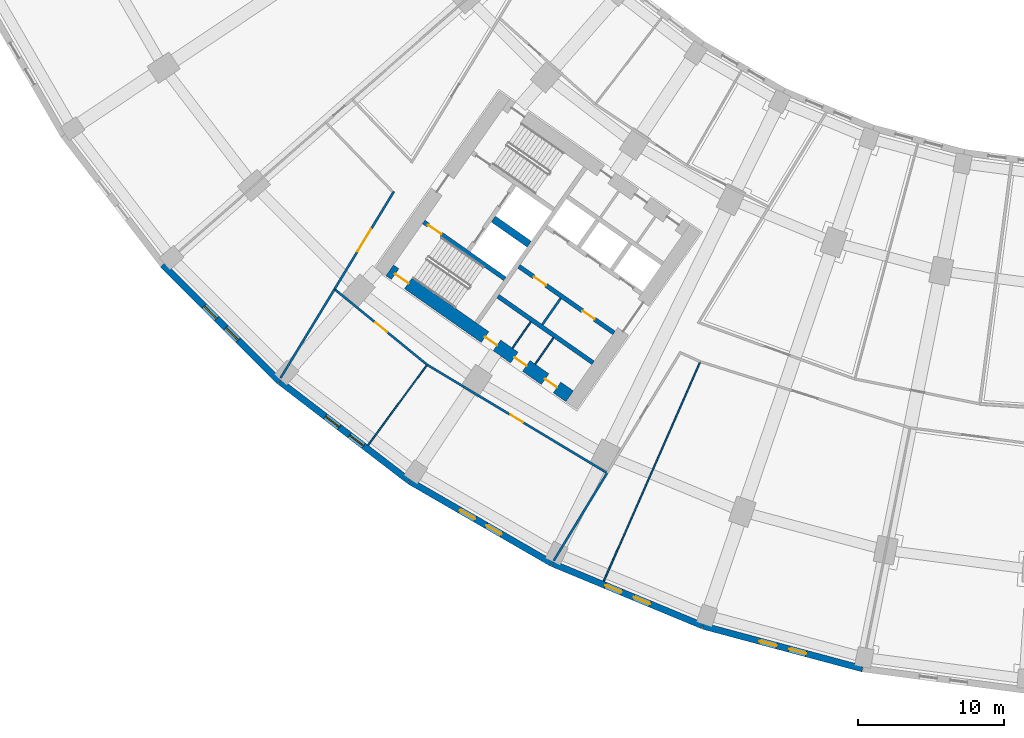
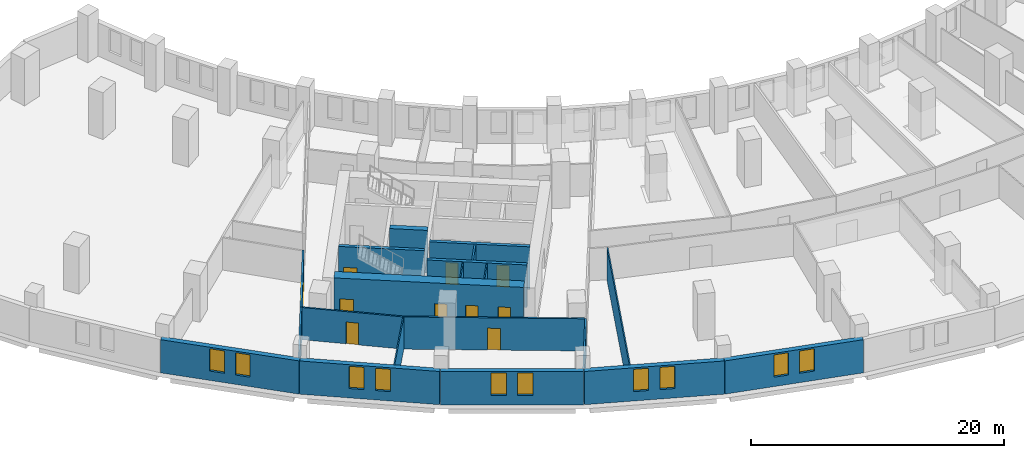
# One storey, part 5 of 20: 20 walls, 10 doors, 10 windows, 20 openings.
"""IFC4 building model written with IfcOpenShell, lengths in metres."""

from ifc_helpers import new_model, si_unit, direction, frame, frame_2d, origin, place, context, subcontext, project, spatial, rectangle, extrude, material, layer, layer_set, type_object, element, fill, save


model = new_model("IFC4")

# Units and contexts
model_context = context("Model", 3, precision=1e-05, world=origin(), true_north=direction((0.0, 1.0)))
body_context = subcontext(model_context, "Body", "Model", "MODEL_VIEW")
ifc_project = project(units=[si_unit("LENGTHUNIT", "METRE"), si_unit("AREAUNIT", "SQUARE_METRE"), si_unit("VOLUMEUNIT", "CUBIC_METRE"), si_unit("PLANEANGLEUNIT", "RADIAN"), si_unit("MASSUNIT", "GRAM", prefix="KILO")], contexts=[model_context])

# Site, building, storey
site_placement = place(None, origin())
site = spatial("IfcSite", under=ifc_project, at=site_placement, CompositionType="ELEMENT")
building_placement = place(site_placement, origin())
building = spatial("IfcBuilding", under=site, at=building_placement, Name="Qamariyya Broadcast Tower", CompositionType="ELEMENT")
storey_placement = place(building_placement, frame((0.0, 0.0, 27.0)))
storey = spatial("IfcBuildingStorey", under=building, at=storey_placement, Name="L03", CompositionType="ELEMENT", Elevation=27.0)

# Wall, openings, doors
ifc_material_1 = material(Name="Concrete C70/85", Category="concrete")
ifc_layer_1 = layer(ifc_material_1, 0.89990234375)
ifc_layer_set_1 = layer_set([ifc_layer_1], Name="Core wall 900 mm Concrete C70/85")
wall_type_1 = type_object("IfcWallType", Name="Core wall 900 mm Concrete C70/85", PredefinedType="SHEAR", material=ifc_layer_set_1)
wall_1_placement = place(storey_placement, frame((-36.827392578125, -65.710205078125, 0.0), z_axis=(0.0, 0.0, 1.0), x_axis=(-0.819153391756, 0.573574511963, 0.0)))
wall_1 = element("IfcWall", 1, at=wall_1_placement, inside=storey, type_object=wall_type_1, Name="k-W-L03-WO", PredefinedType="SHEAR", context=body_context, shape_type="SweptSolid", body=[
    extrude(rectangle(XDim=15.04541015625, YDim=0.89990234375, at=frame_2d((7.522705078125, 0.0))), origin(), (0.0, 0.0, 1.0), 4.10009765625),
])
opening_1_placement = place(wall_1_placement, frame((1.050048828125, 0.0, 0.0)))
opening_1 = element("IfcOpeningElement", 2, at=opening_1_placement, cuts=wall_1, Name="Opening KD4-W2", PredefinedType="OPENING", context=body_context, shape_type="SweptSolid", body=[
    extrude(rectangle(XDim=1.0, YDim=2.10009765625, at=frame_2d((0.5, 1.050048828125))), frame((0.0, 0.4599609375, 0.0), z_axis=(0.0, -1.0, 0.0), x_axis=(1.0, 0.0, 0.0)), (0.0, 0.0, 1.0), 0.919921875),
])
opening_2_placement = place(wall_1_placement, frame((3.625, 0.0, 0.0)))
opening_2 = element("IfcOpeningElement", 3, at=opening_2_placement, cuts=wall_1, Name="Opening KD4-W3", PredefinedType="OPENING", context=body_context, shape_type="SweptSolid", body=[
    extrude(rectangle(XDim=1.0, YDim=2.10009765625, at=frame_2d((0.5, 1.050048828125))), frame((0.0, 0.4599609375, 0.0), z_axis=(0.0, -1.0, 0.0), x_axis=(1.0, 0.0, 0.0)), (0.0, 0.0, 1.0), 0.919921875),
])
opening_3_placement = place(wall_1_placement, frame((6.074951171875, 0.0, 0.0)))
opening_3 = element("IfcOpeningElement", 4, at=opening_3_placement, cuts=wall_1, Name="Opening KD6-W3", PredefinedType="OPENING", context=body_context, shape_type="SweptSolid", body=[
    extrude(rectangle(XDim=1.0, YDim=2.10009765625, at=frame_2d((0.5, 1.050048828125))), frame((0.0, 0.4599609375, 0.0), z_axis=(0.0, -1.0, 0.0), x_axis=(1.0, 0.0, 0.0)), (0.0, 0.0, 1.0), 0.919921875),
])
opening_4_placement = place(wall_1_placement, frame((13.495361328125, 0.0, 0.0)))
opening_4 = element("IfcOpeningElement", 5, at=opening_4_placement, cuts=wall_1, Name="Opening KD1-W3", PredefinedType="OPENING", context=body_context, shape_type="SweptSolid", body=[
    extrude(rectangle(XDim=1.10009765625, YDim=2.10009765625, at=frame_2d((0.550048828125, 1.050048828125))), frame((0.0, 0.4599609375, 0.0), z_axis=(0.0, -1.0, 0.0), x_axis=(1.0, 0.0, 0.0)), (0.0, 0.0, 1.0), 0.919921875),
])
ifc_material_2 = material(Name="Steel fire-resisting door leaf", Category="steel")
door_type_1 = type_object("IfcDoorType", Name="Core room door KD6", OperationType="SINGLE_SWING_LEFT", PredefinedType="DOOR", material=ifc_material_2)
door_1_placement = place(opening_3_placement, origin())
door_1 = element("IfcDoor", 6, at=door_1_placement, inside=storey, type_object=door_type_1, Name="k-W-L03-WO-D12", OperationType="SINGLE_SWING_LEFT", OverallHeight=2.10009765625, OverallWidth=1.0, PredefinedType="DOOR", context=body_context, shape_type="SweptSolid", body=[
    extrude(rectangle(XDim=1.0, YDim=2.10009765625, at=frame_2d((0.5, 1.050048828125))), frame((0.0, 0.02490234375, 0.0), z_axis=(0.0, -1.0, 0.0), x_axis=(1.0, 0.0, 0.0)), (0.0, 0.0, 1.0), 0.050048828125),
])
fill(opening_3, door_1)
door_type_2 = type_object("IfcDoorType", Name="Riser and plant door KD4", OperationType="SINGLE_SWING_LEFT", PredefinedType="DOOR", material=ifc_material_2)
door_2_placement = place(opening_1_placement, origin())
door_2 = element("IfcDoor", 7, at=door_2_placement, inside=storey, type_object=door_type_2, Name="k-W-L03-WO-D10", OperationType="SINGLE_SWING_LEFT", OverallHeight=2.10009765625, OverallWidth=1.0, PredefinedType="DOOR", context=body_context, shape_type="SweptSolid", body=[
    extrude(rectangle(XDim=1.0, YDim=2.10009765625, at=frame_2d((0.5, 1.050048828125))), frame((0.0, 0.02490234375, 0.0), z_axis=(0.0, -1.0, 0.0), x_axis=(1.0, 0.0, 0.0)), (0.0, 0.0, 1.0), 0.050048828125),
])
fill(opening_1, door_2)
door_3_placement = place(opening_2_placement, origin())
door_3 = element("IfcDoor", 8, at=door_3_placement, inside=storey, type_object=door_type_2, Name="k-W-L03-WO-D11", OperationType="SINGLE_SWING_RIGHT", OverallHeight=2.10009765625, OverallWidth=1.0, PredefinedType="DOOR", context=body_context, shape_type="SweptSolid", body=[
    extrude(rectangle(XDim=1.0, YDim=2.10009765625, at=frame_2d((0.5, 1.050048828125))), frame((0.0, 0.02490234375, 0.0), z_axis=(0.0, -1.0, 0.0), x_axis=(1.0, 0.0, 0.0)), (0.0, 0.0, 1.0), 0.050048828125),
])
fill(opening_2, door_3)
door_type_3 = type_object("IfcDoorType", Name="Stair door KD1", OperationType="SINGLE_SWING_LEFT", PredefinedType="DOOR", material=ifc_material_2)
door_4_placement = place(opening_4_placement, origin())
door_4 = element("IfcDoor", 9, at=door_4_placement, inside=storey, type_object=door_type_3, Name="k-W-L03-WO-D18", OperationType="SINGLE_SWING_LEFT", OverallHeight=2.10009765625, OverallWidth=1.10009765625, PredefinedType="DOOR", context=body_context, shape_type="SweptSolid", body=[
    extrude(rectangle(XDim=1.10009765625, YDim=2.10009765625, at=frame_2d((0.550048828125, 1.050048828125))), frame((0.0, 0.02490234375, 0.0), z_axis=(0.0, -1.0, 0.0), x_axis=(1.0, 0.0, 0.0)), (0.0, 0.0, 1.0), 0.050048828125),
])
fill(opening_4, door_4)

# Wall
ifc_material_3 = material(Name="Gypsum board partition")
ifc_layer_2 = layer(ifc_material_3, 0.14990234375)
ifc_layer_set_2 = layer_set([ifc_layer_2], Name="Corridor partition 150 EI 60")
wall_type_2 = type_object("IfcWallType", Name="Corridor partition 150 EI 60", PredefinedType="PARTITIONING", material=ifc_layer_set_2)
wall_2_placement = place(storey_placement, frame((-52.935791015625, -58.37158203125, 0.0), z_axis=(0.0, 0.0, 1.0), x_axis=(-0.519148894699, -0.854683815883, 0.0)))
element("IfcWall", 10, at=wall_2_placement, inside=storey, type_object=wall_type_2, Name="Partition L03-003", PredefinedType="PARTITIONING", context=body_context, shape_type="SweptSolid", body=[
    extrude(rectangle(XDim=7.12548828125, YDim=0.14990234375, at=frame_2d((3.562744140625, 0.0))), origin(), (0.0, 0.0, 1.0), 3.10009765625),
])

# Wall, opening, door
wall_3_placement = place(storey_placement, frame((-46.593505859375, -63.549072265625, 0.0), z_axis=(0.0, 0.0, 1.0), x_axis=(-0.774664810718, 0.632372066931, 0.0)))
wall_3 = element("IfcWall", 11, at=wall_3_placement, inside=storey, type_object=wall_type_2, Name="Partition L03-004", PredefinedType="PARTITIONING", context=body_context, shape_type="SweptSolid", body=[
    extrude(rectangle(XDim=8.112060546875, YDim=0.14990234375, at=frame_2d((4.05615234375, 0.0))), origin(), (0.0, 0.0, 1.0), 3.10009765625),
])
opening_5_placement = place(wall_3_placement, frame((3.55615234375, 0.0, 0.0)))
opening_5 = element("IfcOpeningElement", 12, at=opening_5_placement, cuts=wall_3, Name="Opening L03-D18", PredefinedType="OPENING", context=body_context, shape_type="SweptSolid", body=[
    extrude(rectangle(XDim=1.0, YDim=2.10009765625, at=frame_2d((0.5, 1.050048828125))), frame((0.0, 0.0849609375, 0.0), z_axis=(0.0, -1.0, 0.0), x_axis=(1.0, 0.0, 0.0)), (0.0, 0.0, 1.0), 0.169921875),
])
ifc_material_4 = material(Name="Timber fire door leaf", Category="wood")
door_type_4 = type_object("IfcDoorType", Name="Fire door 1000 x 2100 FD60", OperationType="NOTDEFINED", PredefinedType="DOOR", material=ifc_material_4)
door_5_placement = place(opening_5_placement, origin())
door_5 = element("IfcDoor", 13, at=door_5_placement, inside=storey, type_object=door_type_4, Name="Door L03-D18", OperationType="SINGLE_SWING_RIGHT", OverallHeight=2.10009765625, OverallWidth=1.0, PredefinedType="DOOR", context=body_context, shape_type="SweptSolid", body=[
    extrude(rectangle(XDim=1.0, YDim=2.10009765625, at=frame_2d((0.5, 1.050048828125))), frame((0.0, 0.02490234375, 0.0), z_axis=(0.0, -1.0, 0.0), x_axis=(1.0, 0.0, 0.0)), (0.0, 0.0, 1.0), 0.050048828125),
])
fill(opening_5, door_5)

wall_4_placement = place(storey_placement, frame((-52.935791015625, -58.37158203125, 0.0), z_axis=(0.0, 0.0, 1.0), x_axis=(0.519169312849, 0.854671413232, 0.0)))
wall_4 = element("IfcWall", 14, at=wall_4_placement, inside=storey, type_object=wall_type_2, Name="Partition L03-008", PredefinedType="PARTITIONING", context=body_context, shape_type="SweptSolid", body=[
    extrude(rectangle(XDim=7.83056640625, YDim=0.14990234375, at=frame_2d((3.915283203125, 0.0))), origin(), (0.0, 0.0, 1.0), 3.10009765625),
])
opening_6_placement = place(wall_4_placement, frame((3.015380859375, 0.0, 0.0)))
opening_6 = element("IfcOpeningElement", 15, at=opening_6_placement, cuts=wall_4, Name="Opening L03-D21", PredefinedType="OPENING", context=body_context, shape_type="SweptSolid", body=[
    extrude(rectangle(XDim=1.800048828125, YDim=2.10009765625, at=frame_2d((0.89990234375, 1.050048828125))), frame((0.0, 0.0849609375, 0.0), z_axis=(0.0, -1.0, 0.0), x_axis=(1.0, 0.0, 0.0)), (0.0, 0.0, 1.0), 0.169921875),
])
door_type_5 = type_object("IfcDoorType", Name="Double fire door 1800 x 2100 FD60", OperationType="NOTDEFINED", PredefinedType="DOOR", material=ifc_material_4)
door_6_placement = place(opening_6_placement, origin())
door_6 = element("IfcDoor", 16, at=door_6_placement, inside=storey, type_object=door_type_5, Name="Door L03-D21", OperationType="DOUBLE_DOOR_SINGLE_SWING", OverallHeight=2.10009765625, OverallWidth=1.800048828125, PredefinedType="DOOR", context=body_context, shape_type="SweptSolid", body=[
    extrude(rectangle(XDim=1.800048828125, YDim=2.10009765625, at=frame_2d((0.89990234375, 1.050048828125))), frame((0.0, 0.02490234375, 0.0), z_axis=(0.0, -1.0, 0.0), x_axis=(1.0, 0.0, 0.0)), (0.0, 0.0, 1.0), 0.050048828125),
])
fill(opening_6, door_6)

wall_5_placement = place(storey_placement, frame((-34.32421875, -70.924072265625, 0.0), z_axis=(0.0, 0.0, 1.0), x_axis=(-0.857078823531, 0.51518529701, 0.0)))
wall_5 = element("IfcWall", 17, at=wall_5_placement, inside=storey, type_object=wall_type_2, Name="Partition L03-010", PredefinedType="PARTITIONING", context=body_context, shape_type="SweptSolid", body=[
    extrude(rectangle(XDim=14.315185546875, YDim=0.14990234375, at=frame_2d((7.15771484375, 0.0))), origin(), (0.0, 0.0, 1.0), 3.10009765625),
])
opening_7_placement = place(wall_5_placement, frame((6.657470703125, 0.0, 0.0)))
opening_7 = element("IfcOpeningElement", 18, at=opening_7_placement, cuts=wall_5, Name="Opening L03-D19", PredefinedType="OPENING", context=body_context, shape_type="SweptSolid", body=[
    extrude(rectangle(XDim=1.0, YDim=2.10009765625, at=frame_2d((0.5, 1.050048828125))), frame((0.0, 0.0849609375, 0.0), z_axis=(0.0, -1.0, 0.0), x_axis=(1.0, 0.0, 0.0)), (0.0, 0.0, 1.0), 0.169921875),
])
door_7_placement = place(opening_7_placement, origin())
door_7 = element("IfcDoor", 19, at=door_7_placement, inside=storey, type_object=door_type_4, Name="Door L03-D19", OperationType="SINGLE_SWING_RIGHT", OverallHeight=2.10009765625, OverallWidth=1.0, PredefinedType="DOOR", context=body_context, shape_type="SweptSolid", body=[
    extrude(rectangle(XDim=1.0, YDim=2.10009765625, at=frame_2d((0.5, 1.050048828125))), frame((0.0, 0.02490234375, 0.0), z_axis=(0.0, -1.0, 0.0), x_axis=(1.0, 0.0, 0.0)), (0.0, 0.0, 1.0), 0.050048828125),
])
fill(opening_7, door_7)

# Walls
wall_6_placement = place(storey_placement, frame((-34.260009765625, -70.962646484375, 0.0), z_axis=(0.0, 0.0, 1.0), x_axis=(-0.519582317334, -0.854420397412, 0.0)))
element("IfcWall", 20, at=wall_6_placement, inside=storey, type_object=wall_type_2, Name="Partition L03-016", PredefinedType="PARTITIONING", context=body_context, shape_type="SweptSolid", body=[
    extrude(rectangle(XDim=7.03173828125, YDim=0.14990234375, at=frame_2d((3.515869140625, 0.0))), origin(), (0.0, 0.0, 1.0), 3.10009765625),
])
ifc_material_5 = material(Name="Concrete C60/75", Category="concrete")
ifc_layer_3 = layer(ifc_material_5, 0.5)
ifc_layer_set_3 = layer_set([ifc_layer_3], Name="Fire-fighting lobby divider wall 500 mm Concrete C60/75")
wall_type_3 = type_object("IfcWallType", Name="Fire-fighting lobby divider wall 500 mm Concrete C60/75", PredefinedType="SOLIDWALL", material=ifc_layer_set_3)
wall_7_placement = place(storey_placement, frame((-39.59912109375, -55.28515625, 0.0), z_axis=(0.0, 0.0, 1.0), x_axis=(-0.819136323161, 0.573598887793, 0.0)))
element("IfcWall", 21, at=wall_7_placement, inside=storey, type_object=wall_type_3, Name="k-W-L03-FD", PredefinedType="SOLIDWALL", context=body_context, shape_type="SweptSolid", body=[
    extrude(rectangle(XDim=2.999755859375, YDim=0.5, at=frame_2d((1.5, 0.0))), origin(), (0.0, 0.0, 1.0), 4.10009765625),
])
ifc_material_6 = material(Name="Gypsum board partition on steel studs", Category="steel")
ifc_layer_4 = layer(ifc_material_6, 0.14990234375)
ifc_layer_set_4 = layer_set([ifc_layer_4], Name="Gypsum board partition 150 mm")
wall_type_4 = type_object("IfcWallType", Name="Gypsum board partition 150 mm", PredefinedType="PARTITIONING", material=ifc_layer_set_4)
wall_8_placement = place(storey_placement, frame((-37.436767578125, -58.99658203125, 0.0), z_axis=(0.0, 0.0, 1.0), x_axis=(-0.573559170999, -0.819164133348, 0.0)))
element("IfcWall", 22, at=wall_8_placement, inside=storey, type_object=wall_type_4, Name="k-W-L03-SC435", PredefinedType="PARTITIONING", context=body_context, shape_type="SweptSolid", body=[
    extrude(rectangle(XDim=2.19970703125, YDim=0.14990234375, at=frame_2d((1.099853515625, 0.0))), origin(), (0.0, 0.0, 1.0), 4.10009765625),
])

# Wall, openings, doors
ifc_layer_5 = layer(ifc_material_5, 0.300048828125)
ifc_layer_set_5 = layer_set([ifc_layer_5], Name="Lift shaft wall 300 mm Concrete C60/75")
wall_type_5 = type_object("IfcWallType", Name="Lift shaft wall 300 mm Concrete C60/75", PredefinedType="SOLIDWALL", material=ifc_layer_set_5)
wall_9_placement = place(storey_placement, frame((-33.787353515625, -61.368896484375, 0.0), z_axis=(0.0, 0.0, 1.0), x_axis=(-0.819152564888, 0.573575692858, 0.0)))
wall_9 = element("IfcWall", 23, at=wall_9_placement, inside=storey, type_object=wall_type_5, Name="k-W-L03-SF0", PredefinedType="SOLIDWALL", context=body_context, shape_type="SweptSolid", body=[
    extrude(rectangle(XDim=7.9501953125, YDim=0.300048828125, at=frame_2d((3.97509765625, 0.0))), origin(), (0.0, 0.0, 1.0), 4.10009765625),
])
opening_8_placement = place(wall_9_placement, frame((1.637451171875, 0.0, 0.0)))
opening_8 = element("IfcOpeningElement", 24, at=opening_8_placement, cuts=wall_9, Name="Opening KD4-W1", PredefinedType="OPENING", context=body_context, shape_type="SweptSolid", body=[
    extrude(rectangle(XDim=1.0, YDim=2.10009765625, at=frame_2d((0.5, 1.050048828125))), frame((0.0, 0.159912109375, 0.0), z_axis=(0.0, -1.0, 0.0), x_axis=(1.0, 0.0, 0.0)), (0.0, 0.0, 1.0), 0.320068359375),
])
opening_9_placement = place(wall_9_placement, frame((5.6875, 0.0, 0.0)))
opening_9 = element("IfcOpeningElement", 25, at=opening_9_placement, cuts=wall_9, Name="Opening KD6-W1", PredefinedType="OPENING", context=body_context, shape_type="SweptSolid", body=[
    extrude(rectangle(XDim=1.0, YDim=2.10009765625, at=frame_2d((0.5, 1.050048828125))), frame((0.0, 0.159912109375, 0.0), z_axis=(0.0, -1.0, 0.0), x_axis=(1.0, 0.0, 0.0)), (0.0, 0.0, 1.0), 0.320068359375),
])
door_8_placement = place(opening_9_placement, origin())
door_8 = element("IfcDoor", 26, at=door_8_placement, inside=storey, type_object=door_type_1, Name="k-W-L03-SF0-D6", OperationType="SINGLE_SWING_LEFT", OverallHeight=2.10009765625, OverallWidth=1.0, PredefinedType="DOOR", context=body_context, shape_type="SweptSolid", body=[
    extrude(rectangle(XDim=1.0, YDim=2.10009765625, at=frame_2d((0.5, 1.050048828125))), frame((0.0, 0.02490234375, 0.0), z_axis=(0.0, -1.0, 0.0), x_axis=(1.0, 0.0, 0.0)), (0.0, 0.0, 1.0), 0.050048828125),
])
fill(opening_9, door_8)
door_9_placement = place(opening_8_placement, origin())
door_9 = element("IfcDoor", 27, at=door_9_placement, inside=storey, type_object=door_type_2, Name="k-W-L03-SF0-D5", OperationType="SINGLE_SWING_RIGHT", OverallHeight=2.10009765625, OverallWidth=1.0, PredefinedType="DOOR", context=body_context, shape_type="SweptSolid", body=[
    extrude(rectangle(XDim=1.0, YDim=2.10009765625, at=frame_2d((0.5, 1.050048828125))), frame((0.0, 0.02490234375, 0.0), z_axis=(0.0, -1.0, 0.0), x_axis=(1.0, 0.0, 0.0)), (0.0, 0.0, 1.0), 0.050048828125),
])
fill(opening_8, door_9)

# Wall
wall_10_placement = place(storey_placement, frame((-35.22119140625, -63.41650390625, 0.0), z_axis=(0.0, 0.0, 1.0), x_axis=(-0.819166993208, 0.573555086491, 0.0)))
element("IfcWall", 28, at=wall_10_placement, inside=storey, type_object=wall_type_5, Name="k-W-L03-SB0", PredefinedType="SOLIDWALL", context=body_context, shape_type="SweptSolid", body=[
    extrude(rectangle(XDim=7.9501953125, YDim=0.300048828125, at=frame_2d((3.97509765625, 0.0))), origin(), (0.0, 0.0, 1.0), 4.10009765625),
])

# Wall, opening, door
wall_11_placement = place(storey_placement, frame((-41.262451171875, -57.66064453125, 0.0), z_axis=(0.0, 0.0, 1.0), x_axis=(-0.819164398642, 0.573558792102, 0.0)))
wall_11 = element("IfcWall", 29, at=wall_11_placement, inside=storey, type_object=wall_type_5, Name="k-W-L03-SW", PredefinedType="SOLIDWALL", context=body_context, shape_type="SweptSolid", body=[
    extrude(rectangle(XDim=6.795166015625, YDim=0.300048828125, at=frame_2d((3.3974609375, 0.0))), origin(), (0.0, 0.0, 1.0), 4.10009765625),
])
opening_10_placement = place(wall_11_placement, frame((5.3203125, 0.0, 0.0)))
opening_10 = element("IfcOpeningElement", 30, at=opening_10_placement, cuts=wall_11, Name="Opening KD1-W4", PredefinedType="OPENING", context=body_context, shape_type="SweptSolid", body=[
    extrude(rectangle(XDim=1.10009765625, YDim=2.10009765625, at=frame_2d((0.550048828125, 1.050048828125))), frame((0.0, 0.159912109375, 0.0), z_axis=(0.0, -1.0, 0.0), x_axis=(1.0, 0.0, 0.0)), (0.0, 0.0, 1.0), 0.320068359375),
])
door_10_placement = place(opening_10_placement, origin())
door_10 = element("IfcDoor", 31, at=door_10_placement, inside=storey, type_object=door_type_3, Name="k-W-L03-SW-D19", OperationType="SINGLE_SWING_RIGHT", OverallHeight=2.10009765625, OverallWidth=1.10009765625, PredefinedType="DOOR", context=body_context, shape_type="SweptSolid", body=[
    extrude(rectangle(XDim=1.10009765625, YDim=2.10009765625, at=frame_2d((0.550048828125, 1.050048828125))), frame((0.0, 0.02490234375, 0.0), z_axis=(0.0, -1.0, 0.0), x_axis=(1.0, 0.0, 0.0)), (0.0, 0.0, 1.0), 0.050048828125),
])
fill(opening_10, door_10)

# Walls
ifc_layer_6 = layer(ifc_material_3, 0.10009765625)
ifc_layer_set_6 = layer_set([ifc_layer_6], Name="Partition 100")
wall_type_6 = type_object("IfcWallType", Name="Partition 100", PredefinedType="PARTITIONING", material=ifc_layer_set_6)
wall_12_placement = place(storey_placement, frame((-50.635498046875, -69.06201171875, 0.0), z_axis=(0.0, 0.0, 1.0), x_axis=(0.591304174152, 0.806448618097, 0.0)))
element("IfcWall", 32, at=wall_12_placement, inside=storey, type_object=wall_type_6, Name="Partition L03-006", PredefinedType="PARTITIONING", context=body_context, shape_type="SweptSolid", body=[
    extrude(rectangle(XDim=6.760986328125, YDim=0.10009765625, at=frame_2d((3.38037109375, 0.0))), origin(), (0.0, 0.0, 1.0), 3.10009765625),
])
wall_13_placement = place(storey_placement, frame((-34.49169921875, -78.382568359375, 0.0), z_axis=(0.0, 0.0, 1.0), x_axis=(0.402767118416, 0.915302490067, 0.0)))
element("IfcWall", 33, at=wall_13_placement, inside=storey, type_object=wall_type_6, Name="Partition L03-015", PredefinedType="PARTITIONING", context=body_context, shape_type="SweptSolid", body=[
    extrude(rectangle(XDim=16.36083984375, YDim=0.10009765625, at=frame_2d((8.180419921875, 0.0))), origin(), (0.0, 0.0, 1.0), 3.10009765625),
])

# Wall, openings, windows
ifc_material_7 = material(Name="Precast concrete C40/50 with terracotta facing", Category="masonry")
ifc_layer_7 = layer(ifc_material_7, 0.449951171875)
ifc_layer_set_7 = layer_set([ifc_layer_7], Name="Precast concrete C40/50 wall 450, terracotta faced")
wall_type_7 = type_object("IfcWallType", Name="Precast concrete C40/50 wall 450, terracotta faced", PredefinedType="SOLIDWALL", material=ifc_layer_set_7)
wall_14_placement = place(storey_placement, frame((-64.69775390625, -56.69873046875, 0.0), z_axis=(0.0, 0.0, 1.0), x_axis=(0.707106781187, -0.707106781187, 0.0)))
wall_14 = element("IfcWall", 34, at=wall_14_placement, inside=storey, type_object=wall_type_7, Name="e-wl-L03-out40", PredefinedType="SOLIDWALL", context=body_context, shape_type="SweptSolid", body=[
    extrude(rectangle(XDim=11.312255859375, YDim=0.449951171875, at=frame_2d((5.65625, 0.0))), origin(), (0.0, 0.0, 1.0), 3.199951171875),
])
opening_11_placement = place(wall_14_placement, frame((4.00634765625, 0.0, 0.89990234375)))
opening_11 = element("IfcOpeningElement", 35, at=opening_11_placement, cuts=wall_14, Name="Opening W3", PredefinedType="OPENING", context=body_context, shape_type="SweptSolid", body=[
    extrude(rectangle(XDim=1.199951171875, YDim=2.14990234375, at=frame_2d((0.60009765625, 1.074951171875))), frame((0.0, 0.23486328125, 0.0), z_axis=(0.0, -1.0, 0.0), x_axis=(1.0, 0.0, 0.0)), (0.0, 0.0, 1.0), 0.469970703125),
])
opening_12_placement = place(wall_14_placement, frame((6.106201171875, 0.0, 0.89990234375)))
opening_12 = element("IfcOpeningElement", 36, at=opening_12_placement, cuts=wall_14, Name="Opening W3", PredefinedType="OPENING", context=body_context, shape_type="SweptSolid", body=[
    extrude(rectangle(XDim=1.199951171875, YDim=2.14990234375, at=frame_2d((0.60009765625, 1.074951171875))), frame((0.0, 0.23486328125, 0.0), z_axis=(0.0, -1.0, 0.0), x_axis=(1.0, 0.0, 0.0)), (0.0, 0.0, 1.0), 0.469970703125),
])
ifc_material_8 = material(Name="Clear low-e double glazed unit in aluminium frame", Category="aluminium")
window_type = type_object("IfcWindowType", Name="Podium window 1200 x 2150", PartitioningType="SINGLE_PANEL", PredefinedType="WINDOW", material=ifc_material_8)
window_1_placement = place(opening_11_placement, origin())
window_1 = element("IfcWindow", 37, at=window_1_placement, inside=storey, type_object=window_type, Name="e-w-L03-out04a", OverallHeight=2.14990234375, OverallWidth=1.199951171875, PartitioningType="SINGLE_PANEL", PredefinedType="WINDOW", context=body_context, shape_type="SweptSolid", body=[
    extrude(rectangle(XDim=1.199951171875, YDim=2.14990234375, at=frame_2d((0.60009765625, 1.074951171875))), frame((0.0, 0.030029296875, 0.0), z_axis=(0.0, -1.0, 0.0), x_axis=(1.0, 0.0, 0.0)), (0.0, 0.0, 1.0), 0.06005859375),
])
fill(opening_11, window_1)
window_2_placement = place(opening_12_placement, origin())
window_2 = element("IfcWindow", 38, at=window_2_placement, inside=storey, type_object=window_type, Name="e-w-L03-out04b", OverallHeight=2.14990234375, OverallWidth=1.199951171875, PartitioningType="SINGLE_PANEL", PredefinedType="WINDOW", context=body_context, shape_type="SweptSolid", body=[
    extrude(rectangle(XDim=1.199951171875, YDim=2.14990234375, at=frame_2d((0.60009765625, 1.074951171875))), frame((0.0, 0.030029296875, 0.0), z_axis=(0.0, -1.0, 0.0), x_axis=(1.0, 0.0, 0.0)), (0.0, 0.0, 1.0), 0.06005859375),
])
fill(opening_12, window_2)

wall_15_placement = place(storey_placement, frame((-56.673095703125, -64.712646484375, 0.0), z_axis=(0.0, 0.0, 1.0), x_axis=(0.793355377778, -0.608758773695, 0.0)))
wall_15 = element("IfcWall", 39, at=wall_15_placement, inside=storey, type_object=wall_type_7, Name="e-wl-L03-out50", PredefinedType="SOLIDWALL", context=body_context, shape_type="SweptSolid", body=[
    extrude(rectangle(XDim=11.134765625, YDim=0.449951171875, at=frame_2d((5.5673828125, 0.0))), origin(), (0.0, 0.0, 1.0), 3.199951171875),
])
opening_13_placement = place(wall_15_placement, frame((3.917236328125, 0.0, 0.89990234375)))
opening_13 = element("IfcOpeningElement", 40, at=opening_13_placement, cuts=wall_15, Name="Opening W3", PredefinedType="OPENING", context=body_context, shape_type="SweptSolid", body=[
    extrude(rectangle(XDim=1.199951171875, YDim=2.14990234375, at=frame_2d((0.60009765625, 1.074951171875))), frame((0.0, 0.23486328125, 0.0), z_axis=(0.0, -1.0, 0.0), x_axis=(1.0, 0.0, 0.0)), (0.0, 0.0, 1.0), 0.469970703125),
])
opening_14_placement = place(wall_15_placement, frame((6.017333984375, 0.0, 0.89990234375)))
opening_14 = element("IfcOpeningElement", 41, at=opening_14_placement, cuts=wall_15, Name="Opening W3", PredefinedType="OPENING", context=body_context, shape_type="SweptSolid", body=[
    extrude(rectangle(XDim=1.199951171875, YDim=2.14990234375, at=frame_2d((0.60009765625, 1.074951171875))), frame((0.0, 0.23486328125, 0.0), z_axis=(0.0, -1.0, 0.0), x_axis=(1.0, 0.0, 0.0)), (0.0, 0.0, 1.0), 0.469970703125),
])
window_3_placement = place(opening_13_placement, origin())
window_3 = element("IfcWindow", 42, at=window_3_placement, inside=storey, type_object=window_type, Name="e-w-L03-out05a", OverallHeight=2.14990234375, OverallWidth=1.199951171875, PartitioningType="SINGLE_PANEL", PredefinedType="WINDOW", context=body_context, shape_type="SweptSolid", body=[
    extrude(rectangle(XDim=1.199951171875, YDim=2.14990234375, at=frame_2d((0.60009765625, 1.074951171875))), frame((0.0, 0.030029296875, 0.0), z_axis=(0.0, -1.0, 0.0), x_axis=(1.0, 0.0, 0.0)), (0.0, 0.0, 1.0), 0.06005859375),
])
fill(opening_13, window_3)
window_4_placement = place(opening_14_placement, origin())
window_4 = element("IfcWindow", 43, at=window_4_placement, inside=storey, type_object=window_type, Name="e-w-L03-out05b", OverallHeight=2.14990234375, OverallWidth=1.199951171875, PartitioningType="SINGLE_PANEL", PredefinedType="WINDOW", context=body_context, shape_type="SweptSolid", body=[
    extrude(rectangle(XDim=1.199951171875, YDim=2.14990234375, at=frame_2d((0.60009765625, 1.074951171875))), frame((0.0, 0.030029296875, 0.0), z_axis=(0.0, -1.0, 0.0), x_axis=(1.0, 0.0, 0.0)), (0.0, 0.0, 1.0), 0.06005859375),
])
fill(opening_14, window_4)

wall_16_placement = place(storey_placement, frame((-47.818603515625, -71.51171875, 0.0), z_axis=(0.0, 0.0, 1.0), x_axis=(0.866024577697, -0.500001430823, 0.0)))
wall_16 = element("IfcWall", 44, at=wall_16_placement, inside=storey, type_object=wall_type_7, Name="e-wl-L03-out60", PredefinedType="SOLIDWALL", context=body_context, shape_type="SweptSolid", body=[
    extrude(rectangle(XDim=11.3125, YDim=0.449951171875, at=frame_2d((5.65625, 0.0))), origin(), (0.0, 0.0, 1.0), 3.199951171875),
])
opening_15_placement = place(wall_16_placement, frame((4.00634765625, 0.0, 0.89990234375)))
opening_15 = element("IfcOpeningElement", 45, at=opening_15_placement, cuts=wall_16, Name="Opening W3", PredefinedType="OPENING", context=body_context, shape_type="SweptSolid", body=[
    extrude(rectangle(XDim=1.199951171875, YDim=2.14990234375, at=frame_2d((0.60009765625, 1.074951171875))), frame((0.0, 0.23486328125, 0.0), z_axis=(0.0, -1.0, 0.0), x_axis=(1.0, 0.0, 0.0)), (0.0, 0.0, 1.0), 0.469970703125),
])
opening_16_placement = place(wall_16_placement, frame((6.106201171875, 0.0, 0.89990234375)))
opening_16 = element("IfcOpeningElement", 46, at=opening_16_placement, cuts=wall_16, Name="Opening W3", PredefinedType="OPENING", context=body_context, shape_type="SweptSolid", body=[
    extrude(rectangle(XDim=1.199951171875, YDim=2.14990234375, at=frame_2d((0.60009765625, 1.074951171875))), frame((0.0, 0.23486328125, 0.0), z_axis=(0.0, -1.0, 0.0), x_axis=(1.0, 0.0, 0.0)), (0.0, 0.0, 1.0), 0.469970703125),
])
window_5_placement = place(opening_15_placement, origin())
window_5 = element("IfcWindow", 47, at=window_5_placement, inside=storey, type_object=window_type, Name="e-w-L03-out06a", OverallHeight=2.14990234375, OverallWidth=1.199951171875, PartitioningType="SINGLE_PANEL", PredefinedType="WINDOW", context=body_context, shape_type="SweptSolid", body=[
    extrude(rectangle(XDim=1.199951171875, YDim=2.14990234375, at=frame_2d((0.60009765625, 1.074951171875))), frame((0.0, 0.030029296875, 0.0), z_axis=(0.0, -1.0, 0.0), x_axis=(1.0, 0.0, 0.0)), (0.0, 0.0, 1.0), 0.06005859375),
])
fill(opening_15, window_5)
window_6_placement = place(opening_16_placement, origin())
window_6 = element("IfcWindow", 48, at=window_6_placement, inside=storey, type_object=window_type, Name="e-w-L03-out06b", OverallHeight=2.14990234375, OverallWidth=1.199951171875, PartitioningType="SINGLE_PANEL", PredefinedType="WINDOW", context=body_context, shape_type="SweptSolid", body=[
    extrude(rectangle(XDim=1.199951171875, YDim=2.14990234375, at=frame_2d((0.60009765625, 1.074951171875))), frame((0.0, 0.030029296875, 0.0), z_axis=(0.0, -1.0, 0.0), x_axis=(1.0, 0.0, 0.0)), (0.0, 0.0, 1.0), 0.06005859375),
])
fill(opening_16, window_6)

wall_17_placement = place(storey_placement, frame((-37.9931640625, -77.175537109375, 0.0), z_axis=(0.0, 0.0, 1.0), x_axis=(0.923874126662, -0.382696482978, 0.0)))
wall_17 = element("IfcWall", 49, at=wall_17_placement, inside=storey, type_object=wall_type_7, Name="e-wl-L03-out70", PredefinedType="SOLIDWALL", context=body_context, shape_type="SweptSolid", body=[
    extrude(rectangle(XDim=11.134765625, YDim=0.449951171875, at=frame_2d((5.5673828125, 0.0))), origin(), (0.0, 0.0, 1.0), 3.199951171875),
])
opening_17_placement = place(wall_17_placement, frame((3.917236328125, 0.0, 0.89990234375)))
opening_17 = element("IfcOpeningElement", 50, at=opening_17_placement, cuts=wall_17, Name="Opening W3", PredefinedType="OPENING", context=body_context, shape_type="SweptSolid", body=[
    extrude(rectangle(XDim=1.199951171875, YDim=2.14990234375, at=frame_2d((0.60009765625, 1.074951171875))), frame((0.0, 0.23486328125, 0.0), z_axis=(0.0, -1.0, 0.0), x_axis=(1.0, 0.0, 0.0)), (0.0, 0.0, 1.0), 0.469970703125),
])
opening_18_placement = place(wall_17_placement, frame((6.017333984375, 0.0, 0.89990234375)))
opening_18 = element("IfcOpeningElement", 51, at=opening_18_placement, cuts=wall_17, Name="Opening W3", PredefinedType="OPENING", context=body_context, shape_type="SweptSolid", body=[
    extrude(rectangle(XDim=1.199951171875, YDim=2.14990234375, at=frame_2d((0.60009765625, 1.074951171875))), frame((0.0, 0.23486328125, 0.0), z_axis=(0.0, -1.0, 0.0), x_axis=(1.0, 0.0, 0.0)), (0.0, 0.0, 1.0), 0.469970703125),
])
window_7_placement = place(opening_17_placement, origin())
window_7 = element("IfcWindow", 52, at=window_7_placement, inside=storey, type_object=window_type, Name="e-w-L03-out07a", OverallHeight=2.14990234375, OverallWidth=1.199951171875, PartitioningType="SINGLE_PANEL", PredefinedType="WINDOW", context=body_context, shape_type="SweptSolid", body=[
    extrude(rectangle(XDim=1.199951171875, YDim=2.14990234375, at=frame_2d((0.60009765625, 1.074951171875))), frame((0.0, 0.030029296875, 0.0), z_axis=(0.0, -1.0, 0.0), x_axis=(1.0, 0.0, 0.0)), (0.0, 0.0, 1.0), 0.06005859375),
])
fill(opening_17, window_7)
window_8_placement = place(opening_18_placement, origin())
window_8 = element("IfcWindow", 53, at=window_8_placement, inside=storey, type_object=window_type, Name="e-w-L03-out07b", OverallHeight=2.14990234375, OverallWidth=1.199951171875, PartitioningType="SINGLE_PANEL", PredefinedType="WINDOW", context=body_context, shape_type="SweptSolid", body=[
    extrude(rectangle(XDim=1.199951171875, YDim=2.14990234375, at=frame_2d((0.60009765625, 1.074951171875))), frame((0.0, 0.030029296875, 0.0), z_axis=(0.0, -1.0, 0.0), x_axis=(1.0, 0.0, 0.0)), (0.0, 0.0, 1.0), 0.06005859375),
])
fill(opening_18, window_8)

wall_18_placement = place(storey_placement, frame((-27.6806640625, -81.451416015625, 0.0), z_axis=(0.0, 0.0, 1.0), x_axis=(0.965923678926, -0.258827059038, 0.0)))
wall_18 = element("IfcWall", 54, at=wall_18_placement, inside=storey, type_object=wall_type_7, Name="e-wl-L03-out80", PredefinedType="SOLIDWALL", context=body_context, shape_type="SweptSolid", body=[
    extrude(rectangle(XDim=11.3125, YDim=0.449951171875, at=frame_2d((5.65625, 0.0))), origin(), (0.0, 0.0, 1.0), 3.199951171875),
])
opening_19_placement = place(wall_18_placement, frame((4.00634765625, 0.0, 0.89990234375)))
opening_19 = element("IfcOpeningElement", 55, at=opening_19_placement, cuts=wall_18, Name="Opening W3", PredefinedType="OPENING", context=body_context, shape_type="SweptSolid", body=[
    extrude(rectangle(XDim=1.199951171875, YDim=2.14990234375, at=frame_2d((0.60009765625, 1.074951171875))), frame((0.0, 0.23486328125, 0.0), z_axis=(0.0, -1.0, 0.0), x_axis=(1.0, 0.0, 0.0)), (0.0, 0.0, 1.0), 0.469970703125),
])
opening_20_placement = place(wall_18_placement, frame((6.106201171875, 0.0, 0.89990234375)))
opening_20 = element("IfcOpeningElement", 56, at=opening_20_placement, cuts=wall_18, Name="Opening W3", PredefinedType="OPENING", context=body_context, shape_type="SweptSolid", body=[
    extrude(rectangle(XDim=1.199951171875, YDim=2.14990234375, at=frame_2d((0.60009765625, 1.074951171875))), frame((0.0, 0.23486328125, 0.0), z_axis=(0.0, -1.0, 0.0), x_axis=(1.0, 0.0, 0.0)), (0.0, 0.0, 1.0), 0.469970703125),
])
window_9_placement = place(opening_19_placement, origin())
window_9 = element("IfcWindow", 57, at=window_9_placement, inside=storey, type_object=window_type, Name="e-w-L03-out08a", OverallHeight=2.14990234375, OverallWidth=1.199951171875, PartitioningType="SINGLE_PANEL", PredefinedType="WINDOW", context=body_context, shape_type="SweptSolid", body=[
    extrude(rectangle(XDim=1.199951171875, YDim=2.14990234375, at=frame_2d((0.60009765625, 1.074951171875))), frame((0.0, 0.030029296875, 0.0), z_axis=(0.0, -1.0, 0.0), x_axis=(1.0, 0.0, 0.0)), (0.0, 0.0, 1.0), 0.06005859375),
])
fill(opening_19, window_9)
window_10_placement = place(opening_20_placement, origin())
window_10 = element("IfcWindow", 58, at=window_10_placement, inside=storey, type_object=window_type, Name="e-w-L03-out08b", OverallHeight=2.14990234375, OverallWidth=1.199951171875, PartitioningType="SINGLE_PANEL", PredefinedType="WINDOW", context=body_context, shape_type="SweptSolid", body=[
    extrude(rectangle(XDim=1.199951171875, YDim=2.14990234375, at=frame_2d((0.60009765625, 1.074951171875))), frame((0.0, 0.030029296875, 0.0), z_axis=(0.0, -1.0, 0.0), x_axis=(1.0, 0.0, 0.0)), (0.0, 0.0, 1.0), 0.06005859375),
])
fill(opening_20, window_10)

# Walls
ifc_material_9 = material(Name="Fire-rated gypsum shaft liner on steel studs", Category="steel")
ifc_layer_8 = layer(ifc_material_9, 0.10009765625)
ifc_layer_set_8 = layer_set([ifc_layer_8], Name="Riser wall 100 mm")
wall_type_8 = type_object("IfcWallType", Name="Riser wall 100 mm", PredefinedType="PLUMBINGWALL", material=ifc_layer_set_8)
wall_19_placement = place(storey_placement, frame((-37.9287109375, -61.7041015625, 0.0), z_axis=(0.0, 0.0, 1.0), x_axis=(-0.573559170999, -0.819164133348, 0.0)))
element("IfcWall", 59, at=wall_19_placement, inside=storey, type_object=wall_type_8, Name="k-W-L03-SP320", PredefinedType="PLUMBINGWALL", context=body_context, shape_type="SweptSolid", body=[
    extrude(rectangle(XDim=2.19970703125, YDim=0.10009765625, at=frame_2d((1.099853515625, 0.0))), origin(), (0.0, 0.0, 1.0), 4.10009765625),
])
wall_20_placement = place(storey_placement, frame((-39.485107421875, -60.6142578125, 0.0), z_axis=(0.0, 0.0, 1.0), x_axis=(-0.573507030513, -0.819200638399, 0.0)))
element("IfcWall", 60, at=wall_20_placement, inside=storey, type_object=wall_type_8, Name="k-W-L03-SP510", PredefinedType="PLUMBINGWALL", context=body_context, shape_type="SweptSolid", body=[
    extrude(rectangle(XDim=2.199951171875, YDim=0.10009765625, at=frame_2d((1.10009765625, 0.0))), origin(), (0.0, 0.0, 1.0), 4.10009765625),
])

save(model, "model.ifc")
